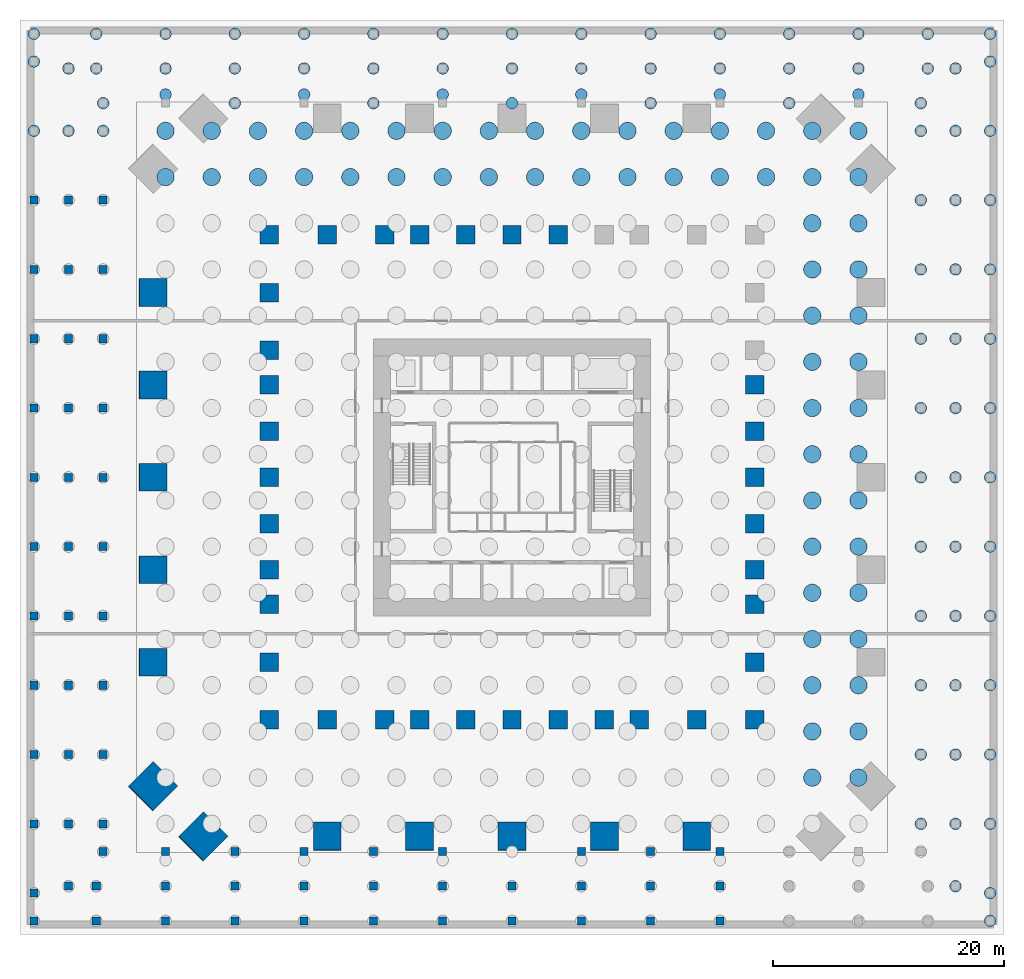
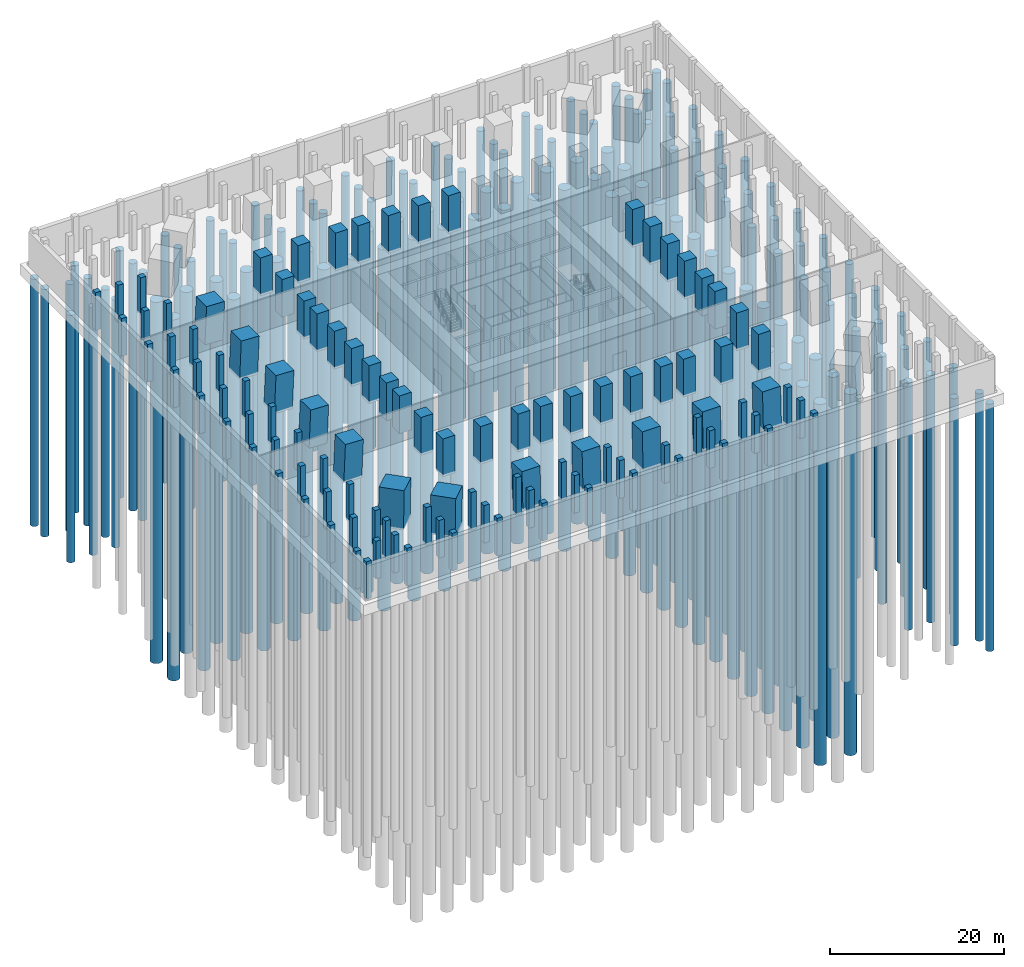
# One storey, part 2 of 8: 142 piles, 108 columns.
"""IFC4 building model written with IfcOpenShell, lengths in metres."""

from ifc_helpers import new_model, si_unit, direction, frame, origin, origin_2d, place, context, subcontext, project, spatial, rectangle, circle, extrude, material, material_profile, profile_set, type_object, element, save


model = new_model("IFC4")

# Units and contexts
model_context = context("Model", 3, precision=1e-05, world=origin(), true_north=direction((0.0, 1.0)))
body_context = subcontext(model_context, "Body", "Model", "MODEL_VIEW")
ifc_project = project(units=[si_unit("LENGTHUNIT", "METRE"), si_unit("AREAUNIT", "SQUARE_METRE"), si_unit("VOLUMEUNIT", "CUBIC_METRE"), si_unit("PLANEANGLEUNIT", "RADIAN"), si_unit("MASSUNIT", "GRAM", prefix="KILO")], contexts=[model_context])

# Site, building, storey
site_placement = place(None, origin())
site = spatial("IfcSite", under=ifc_project, at=site_placement, CompositionType="ELEMENT")
building_placement = place(site_placement, origin())
building = spatial("IfcBuilding", under=site, at=building_placement, Name="Peilmerk Tower", CompositionType="ELEMENT")
storey_placement = place(building_placement, frame((0.0, 0.0, -5.0)))
storey = spatial("IfcBuildingStorey", under=building, at=storey_placement, Name="B-01", CompositionType="ELEMENT", Elevation=-5.0)

# Piles
ifc_material_1 = material(Name="Concrete C30/37", Category="concrete")
ifc_material_profile_1 = material_profile(ifc_material_1, circle(Radius=0.75, at=origin_2d()), Name="BP 1500")
ifc_profile_set_1 = profile_set([ifc_material_profile_1], Name="Concrete C30/37")
pile_type_1 = type_object("IfcPileType", Name="BP1 1500 bored pile", PredefinedType="BORED", material=ifc_profile_set_1)
for number, where, z_axis, x_axis, name in (
    (1, (26.0, -26.0, -3.800048828125), (0.0, 0.0, -1.0), (1.0, 0.0, 0.0), "Bored pile BP1 T02-15"),
    (2, (30.0, -26.0, -3.800048828125), (0.0, 0.0, -1.0), (1.0, 0.0, 0.0), "Bored pile BP1 T02-16"),
    (3, (26.0, -22.0, -3.800048828125), (0.0, 0.0, -1.0), (1.0, 0.0, 0.0), "Bored pile BP1 T03-15"),
    (4, (30.0, -22.0, -3.800048828125), (0.0, 0.0, -1.0), (1.0, 0.0, 0.0), "Bored pile BP1 T03-16"),
    (5, (26.0, -18.0, -3.800048828125), (0.0, 0.0, -1.0), (1.0, 0.0, 0.0), "Bored pile BP1 T04-15"),
    (6, (30.0, -18.0, -3.800048828125), (0.0, 0.0, -1.0), (1.0, 0.0, 0.0), "Bored pile BP1 T04-16"),
    (7, (26.0, -14.0, -3.800048828125), (0.0, 0.0, -1.0), (1.0, 0.0, 0.0), "Bored pile BP1 T05-15"),
    (8, (30.0, -14.0, -3.800048828125), (0.0, 0.0, -1.0), (1.0, 0.0, 0.0), "Bored pile BP1 T05-16"),
    (9, (26.0, -10.0, -3.800048828125), (0.0, 0.0, -1.0), (1.0, 0.0, 0.0), "Bored pile BP1 T06-15"),
    (10, (30.0, -10.0, -3.800048828125), (0.0, 0.0, -1.0), (1.0, 0.0, 0.0), "Bored pile BP1 T06-16"),
    (11, (26.0, -6.0, -3.800048828125), (0.0, 0.0, -1.0), (1.0, 0.0, 0.0), "Bored pile BP1 T07-15"),
    (12, (30.0, -6.0, -3.800048828125), (0.0, 0.0, -1.0), (1.0, 0.0, 0.0), "Bored pile BP1 T07-16"),
    (13, (26.0, -2.0, -3.800048828125), (0.0, 0.0, -1.0), (1.0, 0.0, 0.0), "Bored pile BP1 T08-15"),
    (14, (30.0, -2.0, -3.800048828125), (0.0, 0.0, -1.0), (1.0, 0.0, 0.0), "Bored pile BP1 T08-16"),
    (15, (26.0, 2.0, -3.800048828125), (0.0, 0.0, -1.0), (1.0, 0.0, 0.0), "Bored pile BP1 T09-15"),
    (16, (30.0, 2.0, -3.800048828125), (0.0, 0.0, -1.0), (1.0, 0.0, 0.0), "Bored pile BP1 T09-16"),
    (17, (26.0, 6.0, -3.800048828125), (0.0, 0.0, -1.0), (1.0, 0.0, 0.0), "Bored pile BP1 T10-15"),
    (18, (30.0, 6.0, -3.800048828125), (0.0, 0.0, -1.0), (1.0, 0.0, 0.0), "Bored pile BP1 T10-16"),
    (19, (26.0, 10.0, -3.800048828125), (0.0, 0.0, -1.0), (1.0, 0.0, 0.0), "Bored pile BP1 T11-15"),
    (20, (30.0, 10.0, -3.800048828125), (0.0, 0.0, -1.0), (1.0, 0.0, 0.0), "Bored pile BP1 T11-16"),
    (21, (26.0, 14.0, -3.800048828125), (0.0, 0.0, -1.0), (1.0, 0.0, 0.0), "Bored pile BP1 T12-15"),
    (22, (30.0, 14.0, -3.800048828125), (0.0, 0.0, -1.0), (1.0, 0.0, 0.0), "Bored pile BP1 T12-16"),
    (23, (26.0, 18.0, -3.800048828125), (0.0, 0.0, -1.0), (1.0, 0.0, 0.0), "Bored pile BP1 T13-15"),
    (24, (30.0, 18.0, -3.800048828125), (0.0, 0.0, -1.0), (1.0, 0.0, 0.0), "Bored pile BP1 T13-16"),
    (25, (26.0, 22.0, -3.800048828125), (0.0, 0.0, -1.0), (1.0, 0.0, 0.0), "Bored pile BP1 T14-15"),
    (26, (30.0, 22.0, -3.800048828125), (0.0, 0.0, -1.0), (1.0, 0.0, 0.0), "Bored pile BP1 T14-16"),
    (27, (-30.0, 26.0, -3.800048828125), (0.0, 0.0, -1.0), (1.0, 0.0, 0.0), "Bored pile BP1 T15-01"),
    (28, (-26.0, 26.0, -3.800048828125), (0.0, 0.0, -1.0), (1.0, 0.0, 0.0), "Bored pile BP1 T15-02"),
    (29, (-22.0, 26.0, -3.800048828125), (0.0, 0.0, -1.0), (1.0, 0.0, 0.0), "Bored pile BP1 T15-03"),
    (30, (-18.0, 26.0, -3.800048828125), (0.0, 0.0, -1.0), (1.0, 0.0, 0.0), "Bored pile BP1 T15-04"),
    (31, (-14.0, 26.0, -3.800048828125), (0.0, 0.0, -1.0), (1.0, 0.0, 0.0), "Bored pile BP1 T15-05"),
    (32, (-10.0, 26.0, -3.800048828125), (0.0, 0.0, -1.0), (1.0, 0.0, 0.0), "Bored pile BP1 T15-06"),
    (33, (-6.0, 26.0, -3.800048828125), (0.0, 0.0, -1.0), (1.0, 0.0, 0.0), "Bored pile BP1 T15-07"),
    (34, (-2.0, 26.0, -3.800048828125), (0.0, 0.0, -1.0), (1.0, 0.0, 0.0), "Bored pile BP1 T15-08"),
    (35, (2.0, 26.0, -3.800048828125), (0.0, 0.0, -1.0), (1.0, 0.0, 0.0), "Bored pile BP1 T15-09"),
    (36, (6.0, 26.0, -3.800048828125), (0.0, 0.0, -1.0), (1.0, 0.0, 0.0), "Bored pile BP1 T15-10"),
    (37, (10.0, 26.0, -3.800048828125), (0.0, 0.0, -1.0), (1.0, 0.0, 0.0), "Bored pile BP1 T15-11"),
    (38, (14.0, 26.0, -3.800048828125), (0.0, 0.0, -1.0), (1.0, 0.0, 0.0), "Bored pile BP1 T15-12"),
    (39, (18.0, 26.0, -3.800048828125), (0.0, 0.0, -1.0), (1.0, 0.0, 0.0), "Bored pile BP1 T15-13"),
    (40, (22.0, 26.0, -3.800048828125), (0.0, 0.0, -1.0), (1.0, 0.0, 0.0), "Bored pile BP1 T15-14"),
    (41, (26.0, 26.0, -3.800048828125), (0.0, 0.0, -1.0), (1.0, 0.0, 0.0), "Bored pile BP1 T15-15"),
    (42, (30.0, 26.0, -3.800048828125), (0.0, 0.0, -1.0), (1.0, 0.0, 0.0), "Bored pile BP1 T15-16"),
    (43, (-30.0, 30.0, -3.800048828125), (0.0, 0.0, -1.0), (1.0, 0.0, 0.0), "Bored pile BP1 T16-01"),
    (44, (-26.0, 30.0, -3.800048828125), (0.0, 0.0, -1.0), (1.0, 0.0, 0.0), "Bored pile BP1 T16-02"),
    (45, (-22.0, 30.0, -3.800048828125), (0.0, 0.0, -1.0), (1.0, 0.0, 0.0), "Bored pile BP1 T16-03"),
    (46, (-18.0, 30.0, -3.800048828125), (0.0, 0.0, -1.0), (1.0, 0.0, 0.0), "Bored pile BP1 T16-04"),
    (47, (-14.0, 30.0, -3.800048828125), (0.0, 0.0, -1.0), (1.0, 0.0, 0.0), "Bored pile BP1 T16-05"),
    (48, (-10.0, 30.0, -3.800048828125), (0.0, 0.0, -1.0), (1.0, 0.0, 0.0), "Bored pile BP1 T16-06"),
    (49, (-6.0, 30.0, -3.800048828125), (0.0, 0.0, -1.0), (1.0, 0.0, 0.0), "Bored pile BP1 T16-07"),
    (50, (-2.0, 30.0, -3.800048828125), (0.0, 0.0, -1.0), (1.0, 0.0, 0.0), "Bored pile BP1 T16-08"),
    (51, (2.0, 30.0, -3.800048828125), (0.0, 0.0, -1.0), (1.0, 0.0, 0.0), "Bored pile BP1 T16-09"),
    (52, (6.0, 30.0, -3.800048828125), (0.0, 0.0, -1.0), (1.0, 0.0, 0.0), "Bored pile BP1 T16-10"),
    (53, (10.0, 30.0, -3.800048828125), (0.0, 0.0, -1.0), (1.0, 0.0, 0.0), "Bored pile BP1 T16-11"),
    (54, (14.0, 30.0, -3.800048828125), (0.0, 0.0, -1.0), (1.0, 0.0, 0.0), "Bored pile BP1 T16-12"),
    (55, (18.0, 30.0, -3.800048828125), (0.0, 0.0, -1.0), (1.0, 0.0, 0.0), "Bored pile BP1 T16-13"),
    (56, (22.0, 30.0, -3.800048828125), (0.0, 0.0, -1.0), (1.0, 0.0, 0.0), "Bored pile BP1 T16-14"),
    (57, (26.0, 30.0, -3.800048828125), (0.0, 0.0, -1.0), (1.0, 0.0, 0.0), "Bored pile BP1 T16-15"),
    (58, (30.0, 30.0, -3.800048828125), (0.0, 0.0, -1.0), (1.0, 0.0, 0.0), "Bored pile BP1 T16-16"),
):
    element("IfcPile", number, at=place(storey_placement, frame(where, z_axis=z_axis, x_axis=x_axis)), inside=storey, type_object=pile_type_1, Name=name, PredefinedType="BORED", context=body_context, shape_type="SweptSolid", body=[
        extrude(circle(Radius=0.75, at=origin_2d()), origin(), (0.0, 0.0, 1.0), 50.800048828125),
    ])
ifc_material_profile_2 = material_profile(ifc_material_1, circle(Radius=0.5, at=origin_2d()), Name="BP 1000")
ifc_profile_set_2 = profile_set([ifc_material_profile_2], Name="Concrete C30/37")
pile_type_2 = type_object("IfcPileType", Name="BP2 1000 bored pile", PredefinedType="BORED", material=ifc_profile_set_2)
for number, where, z_axis, x_axis, name in (
    (59, (-35.39990234375, 30.0, -1.800048828125), (0.0, 0.0, -1.0), (1.0, 0.0, 0.0), "Bored pile BP2 ring A"),
    (60, (-35.39990234375, 32.39990234375, -1.800048828125), (0.0, 0.0, -1.0), (1.0, 0.0, 0.0), "Bored pile BP2 ring A"),
    (61, (-30.0, 33.14990234375, -1.800048828125), (0.0, 0.0, -1.0), (1.0, 0.0, 0.0), "Bored pile BP2 ring A"),
    (62, (-24.0, 32.39990234375, -1.800048828125), (0.0, 0.0, -1.0), (1.0, 0.0, 0.0), "Bored pile BP2 ring A"),
    (63, (-18.0, 33.14990234375, -1.800048828125), (0.0, 0.0, -1.0), (1.0, 0.0, 0.0), "Bored pile BP2 ring A"),
    (64, (-12.0, 32.39990234375, -1.800048828125), (0.0, 0.0, -1.0), (1.0, 0.0, 0.0), "Bored pile BP2 ring A"),
    (65, (-6.0, 33.14990234375, -1.800048828125), (0.0, 0.0, -1.0), (1.0, 0.0, 0.0), "Bored pile BP2 ring A"),
    (66, (0.0, 32.39990234375, -1.800048828125), (0.0, 0.0, -1.0), (1.0, 0.0, 0.0), "Bored pile BP2 ring A"),
    (67, (6.0, 33.14990234375, -1.800048828125), (0.0, 0.0, -1.0), (1.0, 0.0, 0.0), "Bored pile BP2 ring A"),
    (68, (12.0, 32.39990234375, -1.800048828125), (0.0, 0.0, -1.0), (1.0, 0.0, 0.0), "Bored pile BP2 ring A"),
    (69, (18.0, 33.14990234375, -1.800048828125), (0.0, 0.0, -1.0), (1.0, 0.0, 0.0), "Bored pile BP2 ring A"),
    (70, (24.0, 32.39990234375, -1.800048828125), (0.0, 0.0, -1.0), (1.0, 0.0, 0.0), "Bored pile BP2 ring A"),
    (71, (30.0, 33.14990234375, -1.800048828125), (0.0, 0.0, -1.0), (1.0, 0.0, 0.0), "Bored pile BP2 ring A"),
    (72, (35.39990234375, -30.0, -1.800048828125), (0.0, 0.0, -1.0), (1.0, 0.0, 0.0), "Bored pile BP2 ring A"),
    (73, (35.39990234375, -24.0, -1.800048828125), (0.0, 0.0, -1.0), (1.0, 0.0, 0.0), "Bored pile BP2 ring A"),
    (74, (35.39990234375, -18.0, -1.800048828125), (0.0, 0.0, -1.0), (1.0, 0.0, 0.0), "Bored pile BP2 ring A"),
    (75, (35.39990234375, -12.0, -1.800048828125), (0.0, 0.0, -1.0), (1.0, 0.0, 0.0), "Bored pile BP2 ring A"),
    (76, (35.39990234375, -6.0, -1.800048828125), (0.0, 0.0, -1.0), (1.0, 0.0, 0.0), "Bored pile BP2 ring A"),
    (77, (35.39990234375, 0.0, -1.800048828125), (0.0, 0.0, -1.0), (1.0, 0.0, 0.0), "Bored pile BP2 ring A"),
    (78, (35.39990234375, 6.0, -1.800048828125), (0.0, 0.0, -1.0), (1.0, 0.0, 0.0), "Bored pile BP2 ring A"),
    (79, (35.39990234375, 12.0, -1.800048828125), (0.0, 0.0, -1.0), (1.0, 0.0, 0.0), "Bored pile BP2 ring A"),
    (80, (35.39990234375, 18.0, -1.800048828125), (0.0, 0.0, -1.0), (1.0, 0.0, 0.0), "Bored pile BP2 ring A"),
    (81, (35.39990234375, 24.0, -1.800048828125), (0.0, 0.0, -1.0), (1.0, 0.0, 0.0), "Bored pile BP2 ring A"),
    (82, (35.39990234375, 30.0, -1.800048828125), (0.0, 0.0, -1.0), (1.0, 0.0, 0.0), "Bored pile BP2 ring A"),
    (83, (35.39990234375, 32.39990234375, -1.800048828125), (0.0, 0.0, -1.0), (1.0, 0.0, 0.0), "Bored pile BP2 ring A"),
    (84, (-38.39990234375, 30.0, -1.800048828125), (0.0, 0.0, -1.0), (1.0, 0.0, 0.0), "Bored pile BP2 ring B"),
    (85, (-38.39990234375, 35.39990234375, -1.800048828125), (0.0, 0.0, -1.0), (1.0, 0.0, 0.0), "Bored pile BP2 ring B"),
    (86, (-36.0, 35.39990234375, -1.800048828125), (0.0, 0.0, -1.0), (1.0, 0.0, 0.0), "Bored pile BP2 ring B"),
    (87, (-30.0, 35.39990234375, -1.800048828125), (0.0, 0.0, -1.0), (1.0, 0.0, 0.0), "Bored pile BP2 ring B"),
    (88, (-24.0, 35.39990234375, -1.800048828125), (0.0, 0.0, -1.0), (1.0, 0.0, 0.0), "Bored pile BP2 ring B"),
    (89, (-18.0, 35.39990234375, -1.800048828125), (0.0, 0.0, -1.0), (1.0, 0.0, 0.0), "Bored pile BP2 ring B"),
    (90, (-12.0, 35.39990234375, -1.800048828125), (0.0, 0.0, -1.0), (1.0, 0.0, 0.0), "Bored pile BP2 ring B"),
    (91, (-6.0, 35.39990234375, -1.800048828125), (0.0, 0.0, -1.0), (1.0, 0.0, 0.0), "Bored pile BP2 ring B"),
    (92, (0.0, 35.39990234375, -1.800048828125), (0.0, 0.0, -1.0), (1.0, 0.0, 0.0), "Bored pile BP2 ring B"),
    (93, (6.0, 35.39990234375, -1.800048828125), (0.0, 0.0, -1.0), (1.0, 0.0, 0.0), "Bored pile BP2 ring B"),
    (94, (12.0, 35.39990234375, -1.800048828125), (0.0, 0.0, -1.0), (1.0, 0.0, 0.0), "Bored pile BP2 ring B"),
    (95, (18.0, 35.39990234375, -1.800048828125), (0.0, 0.0, -1.0), (1.0, 0.0, 0.0), "Bored pile BP2 ring B"),
    (96, (24.0, 35.39990234375, -1.800048828125), (0.0, 0.0, -1.0), (1.0, 0.0, 0.0), "Bored pile BP2 ring B"),
    (97, (30.0, 35.39990234375, -1.800048828125), (0.0, 0.0, -1.0), (1.0, 0.0, 0.0), "Bored pile BP2 ring B"),
    (98, (36.0, 35.39990234375, -1.800048828125), (0.0, 0.0, -1.0), (1.0, 0.0, 0.0), "Bored pile BP2 ring B"),
    (99, (38.39990234375, -35.39990234375, -1.800048828125), (0.0, 0.0, -1.0), (1.0, 0.0, 0.0), "Bored pile BP2 ring B"),
    (100, (38.39990234375, -30.0, -1.800048828125), (0.0, 0.0, -1.0), (1.0, 0.0, 0.0), "Bored pile BP2 ring B"),
    (101, (38.39990234375, -24.0, -1.800048828125), (0.0, 0.0, -1.0), (1.0, 0.0, 0.0), "Bored pile BP2 ring B"),
    (102, (38.39990234375, -18.0, -1.800048828125), (0.0, 0.0, -1.0), (1.0, 0.0, 0.0), "Bored pile BP2 ring B"),
    (103, (38.39990234375, -12.0, -1.800048828125), (0.0, 0.0, -1.0), (1.0, 0.0, 0.0), "Bored pile BP2 ring B"),
    (104, (38.39990234375, -6.0, -1.800048828125), (0.0, 0.0, -1.0), (1.0, 0.0, 0.0), "Bored pile BP2 ring B"),
    (105, (38.39990234375, 0.0, -1.800048828125), (0.0, 0.0, -1.0), (1.0, 0.0, 0.0), "Bored pile BP2 ring B"),
    (106, (38.39990234375, 6.0, -1.800048828125), (0.0, 0.0, -1.0), (1.0, 0.0, 0.0), "Bored pile BP2 ring B"),
    (107, (38.39990234375, 12.0, -1.800048828125), (0.0, 0.0, -1.0), (1.0, 0.0, 0.0), "Bored pile BP2 ring B"),
    (108, (38.39990234375, 18.0, -1.800048828125), (0.0, 0.0, -1.0), (1.0, 0.0, 0.0), "Bored pile BP2 ring B"),
    (109, (38.39990234375, 24.0, -1.800048828125), (0.0, 0.0, -1.0), (1.0, 0.0, 0.0), "Bored pile BP2 ring B"),
    (110, (38.39990234375, 30.0, -1.800048828125), (0.0, 0.0, -1.0), (1.0, 0.0, 0.0), "Bored pile BP2 ring B"),
    (111, (38.39990234375, 35.39990234375, -1.800048828125), (0.0, 0.0, -1.0), (1.0, 0.0, 0.0), "Bored pile BP2 ring B"),
    (112, (-41.39990234375, 30.0, -1.800048828125), (0.0, 0.0, -1.0), (1.0, 0.0, 0.0), "Bored pile BP2 ring C"),
    (113, (-41.39990234375, 36.0, -1.800048828125), (0.0, 0.0, -1.0), (1.0, 0.0, 0.0), "Bored pile BP2 ring C"),
    (114, (-41.39990234375, 38.39990234375, -1.800048828125), (0.0, 0.0, -1.0), (1.0, 0.0, 0.0), "Bored pile BP2 ring C"),
    (115, (-36.0, 38.39990234375, -1.800048828125), (0.0, 0.0, -1.0), (1.0, 0.0, 0.0), "Bored pile BP2 ring C"),
    (116, (-30.0, 38.39990234375, -1.800048828125), (0.0, 0.0, -1.0), (1.0, 0.0, 0.0), "Bored pile BP2 ring C"),
    (117, (-24.0, 38.39990234375, -1.800048828125), (0.0, 0.0, -1.0), (1.0, 0.0, 0.0), "Bored pile BP2 ring C"),
    (118, (-18.0, 38.39990234375, -1.800048828125), (0.0, 0.0, -1.0), (1.0, 0.0, 0.0), "Bored pile BP2 ring C"),
    (119, (-12.0, 38.39990234375, -1.800048828125), (0.0, 0.0, -1.0), (1.0, 0.0, 0.0), "Bored pile BP2 ring C"),
    (120, (-6.0, 38.39990234375, -1.800048828125), (0.0, 0.0, -1.0), (1.0, 0.0, 0.0), "Bored pile BP2 ring C"),
    (121, (0.0, 38.39990234375, -1.800048828125), (0.0, 0.0, -1.0), (1.0, 0.0, 0.0), "Bored pile BP2 ring C"),
    (122, (6.0, 38.39990234375, -1.800048828125), (0.0, 0.0, -1.0), (1.0, 0.0, 0.0), "Bored pile BP2 ring C"),
    (123, (12.0, 38.39990234375, -1.800048828125), (0.0, 0.0, -1.0), (1.0, 0.0, 0.0), "Bored pile BP2 ring C"),
    (124, (18.0, 38.39990234375, -1.800048828125), (0.0, 0.0, -1.0), (1.0, 0.0, 0.0), "Bored pile BP2 ring C"),
    (125, (24.0, 38.39990234375, -1.800048828125), (0.0, 0.0, -1.0), (1.0, 0.0, 0.0), "Bored pile BP2 ring C"),
    (126, (30.0, 38.39990234375, -1.800048828125), (0.0, 0.0, -1.0), (1.0, 0.0, 0.0), "Bored pile BP2 ring C"),
    (127, (36.0, 38.39990234375, -1.800048828125), (0.0, 0.0, -1.0), (1.0, 0.0, 0.0), "Bored pile BP2 ring C"),
    (128, (41.39990234375, -38.39990234375, -1.800048828125), (0.0, 0.0, -1.0), (1.0, 0.0, 0.0), "Bored pile BP2 ring C"),
    (129, (41.39990234375, -36.0, -1.800048828125), (0.0, 0.0, -1.0), (1.0, 0.0, 0.0), "Bored pile BP2 ring C"),
    (130, (41.39990234375, -30.0, -1.800048828125), (0.0, 0.0, -1.0), (1.0, 0.0, 0.0), "Bored pile BP2 ring C"),
    (131, (41.39990234375, -24.0, -1.800048828125), (0.0, 0.0, -1.0), (1.0, 0.0, 0.0), "Bored pile BP2 ring C"),
    (132, (41.39990234375, -18.0, -1.800048828125), (0.0, 0.0, -1.0), (1.0, 0.0, 0.0), "Bored pile BP2 ring C"),
    (133, (41.39990234375, -12.0, -1.800048828125), (0.0, 0.0, -1.0), (1.0, 0.0, 0.0), "Bored pile BP2 ring C"),
    (134, (41.39990234375, -6.0, -1.800048828125), (0.0, 0.0, -1.0), (1.0, 0.0, 0.0), "Bored pile BP2 ring C"),
    (135, (41.39990234375, 0.0, -1.800048828125), (0.0, 0.0, -1.0), (1.0, 0.0, 0.0), "Bored pile BP2 ring C"),
    (136, (41.39990234375, 6.0, -1.800048828125), (0.0, 0.0, -1.0), (1.0, 0.0, 0.0), "Bored pile BP2 ring C"),
    (137, (41.39990234375, 12.0, -1.800048828125), (0.0, 0.0, -1.0), (1.0, 0.0, 0.0), "Bored pile BP2 ring C"),
    (138, (41.39990234375, 18.0, -1.800048828125), (0.0, 0.0, -1.0), (1.0, 0.0, 0.0), "Bored pile BP2 ring C"),
    (139, (41.39990234375, 24.0, -1.800048828125), (0.0, 0.0, -1.0), (1.0, 0.0, 0.0), "Bored pile BP2 ring C"),
    (140, (41.39990234375, 30.0, -1.800048828125), (0.0, 0.0, -1.0), (1.0, 0.0, 0.0), "Bored pile BP2 ring C"),
    (141, (41.39990234375, 36.0, -1.800048828125), (0.0, 0.0, -1.0), (1.0, 0.0, 0.0), "Bored pile BP2 ring C"),
    (142, (41.39990234375, 38.39990234375, -1.800048828125), (0.0, 0.0, -1.0), (1.0, 0.0, 0.0), "Bored pile BP2 ring C"),
):
    element("IfcPile", number, at=place(storey_placement, frame(where, z_axis=z_axis, x_axis=x_axis)), inside=storey, type_object=pile_type_2, Name=name, PredefinedType="BORED", context=body_context, shape_type="SweptSolid", body=[
        extrude(circle(Radius=0.5, at=origin_2d()), origin(), (0.0, 0.0, 1.0), 34.800048828125),
    ])

# Columns
ifc_material_2 = material(Name="Concrete C90/105", Category="concrete")
ifc_material_profile_3 = material_profile(ifc_material_2, rectangle(XDim=3.0, YDim=3.0, at=origin_2d()), Name="RC 3000x3000")
ifc_profile_set_3 = profile_set([ifc_material_profile_3], Name="Concrete C90/105")
column_type_1 = type_object("IfcColumnType", Name="MC1 3000x3000 encased mega column", PredefinedType="COLUMN", material=ifc_profile_set_3)
for number, where, z_axis, x_axis, name in (
    (143, (-26.760498046875, -31.110595703125, -0.300048828125), (0.040240469145, 0.040286458253, 0.998377536769), (-0.707510496064, 0.706702835681, 0.0), "Mega column MC1 SW_S B-01"),
    (144, (-31.110595703125, -26.760498046875, -0.300048828125), (0.040286458253, 0.040240469145, 0.998377536769), (-0.706702835681, 0.707510496064, 0.0), "Mega column MC1 SW_W B-01"),
):
    element("IfcColumn", number, at=place(storey_placement, frame(where, z_axis=z_axis, x_axis=x_axis)), inside=storey, type_object=column_type_1, Name=name, PredefinedType="COLUMN", context=body_context, shape_type="SweptSolid", body=[
        extrude(rectangle(XDim=3.0, YDim=3.0, at=origin_2d()), origin(), (0.0, 0.0, 1.0), 5.30859375),
    ])
ifc_material_3 = material(Name="Concrete C55/67", Category="concrete")
ifc_material_profile_4 = material_profile(ifc_material_3, rectangle(XDim=0.699951171875, YDim=0.699951171875, at=origin_2d()), Name="RC 700x700")
ifc_profile_set_4 = profile_set([ifc_material_profile_4], Name="Concrete C55/67")
column_type_2 = type_object("IfcColumnType", Name="PC1 700x700 podium column", PredefinedType="COLUMN", material=ifc_profile_set_4)
for number, where, z_axis, x_axis, name in (
    (145, (-35.39990234375, -32.39990234375, -0.300048828125), (0.0, 0.0, 1.0), (1.0, 0.0, 0.0), "Podium column ring A B-01"),
    (146, (-35.39990234375, -30.0, -0.300048828125), (0.0, 0.0, 1.0), (1.0, 0.0, 0.0), "Podium column ring A B-01"),
    (147, (-35.39990234375, -24.0, -0.300048828125), (0.0, 0.0, 1.0), (1.0, 0.0, 0.0), "Podium column ring A B-01"),
    (148, (-35.39990234375, -18.0, -0.300048828125), (0.0, 0.0, 1.0), (1.0, 0.0, 0.0), "Podium column ring A B-01"),
    (149, (-35.39990234375, -12.0, -0.300048828125), (0.0, 0.0, 1.0), (1.0, 0.0, 0.0), "Podium column ring A B-01"),
    (150, (-35.39990234375, -6.0, -0.300048828125), (0.0, 0.0, 1.0), (1.0, 0.0, 0.0), "Podium column ring A B-01"),
    (151, (-35.39990234375, 0.0, -0.300048828125), (0.0, 0.0, 1.0), (1.0, 0.0, 0.0), "Podium column ring A B-01"),
    (152, (-35.39990234375, 6.0, -0.300048828125), (0.0, 0.0, 1.0), (1.0, 0.0, 0.0), "Podium column ring A B-01"),
    (153, (-35.39990234375, 12.0, -0.300048828125), (0.0, 0.0, 1.0), (1.0, 0.0, 0.0), "Podium column ring A B-01"),
    (154, (-35.39990234375, 18.0, -0.300048828125), (0.0, 0.0, 1.0), (1.0, 0.0, 0.0), "Podium column ring A B-01"),
    (155, (-35.39990234375, 24.0, -0.300048828125), (0.0, 0.0, 1.0), (1.0, 0.0, 0.0), "Podium column ring A B-01"),
    (156, (-30.0, -32.39990234375, -0.300048828125), (0.0, 0.0, 1.0), (1.0, 0.0, 0.0), "Podium column ring A B-01"),
    (157, (-24.0, -32.39990234375, -0.300048828125), (0.0, 0.0, 1.0), (1.0, 0.0, 0.0), "Podium column ring A B-01"),
    (158, (-18.0, -32.39990234375, -0.300048828125), (0.0, 0.0, 1.0), (1.0, 0.0, 0.0), "Podium column ring A B-01"),
    (159, (-12.0, -32.39990234375, -0.300048828125), (0.0, 0.0, 1.0), (1.0, 0.0, 0.0), "Podium column ring A B-01"),
    (160, (-6.0, -32.39990234375, -0.300048828125), (0.0, 0.0, 1.0), (1.0, 0.0, 0.0), "Podium column ring A B-01"),
    (161, (6.0, -32.39990234375, -0.300048828125), (0.0, 0.0, 1.0), (1.0, 0.0, 0.0), "Podium column ring A B-01"),
    (162, (12.0, -32.39990234375, -0.300048828125), (0.0, 0.0, 1.0), (1.0, 0.0, 0.0), "Podium column ring A B-01"),
    (163, (18.0, -32.39990234375, -0.300048828125), (0.0, 0.0, 1.0), (1.0, 0.0, 0.0), "Podium column ring A B-01"),
    (164, (-38.39990234375, -35.39990234375, -0.300048828125), (0.0, 0.0, 1.0), (1.0, 0.0, 0.0), "Podium column ring B B-01"),
    (165, (-38.39990234375, -30.0, -0.300048828125), (0.0, 0.0, 1.0), (1.0, 0.0, 0.0), "Podium column ring B B-01"),
    (166, (-38.39990234375, -24.0, -0.300048828125), (0.0, 0.0, 1.0), (1.0, 0.0, 0.0), "Podium column ring B B-01"),
    (167, (-38.39990234375, -18.0, -0.300048828125), (0.0, 0.0, 1.0), (1.0, 0.0, 0.0), "Podium column ring B B-01"),
    (168, (-38.39990234375, -12.0, -0.300048828125), (0.0, 0.0, 1.0), (1.0, 0.0, 0.0), "Podium column ring B B-01"),
    (169, (-38.39990234375, -6.0, -0.300048828125), (0.0, 0.0, 1.0), (1.0, 0.0, 0.0), "Podium column ring B B-01"),
    (170, (-38.39990234375, 0.0, -0.300048828125), (0.0, 0.0, 1.0), (1.0, 0.0, 0.0), "Podium column ring B B-01"),
    (171, (-38.39990234375, 6.0, -0.300048828125), (0.0, 0.0, 1.0), (1.0, 0.0, 0.0), "Podium column ring B B-01"),
    (172, (-38.39990234375, 12.0, -0.300048828125), (0.0, 0.0, 1.0), (1.0, 0.0, 0.0), "Podium column ring B B-01"),
    (173, (-38.39990234375, 18.0, -0.300048828125), (0.0, 0.0, 1.0), (1.0, 0.0, 0.0), "Podium column ring B B-01"),
    (174, (-38.39990234375, 24.0, -0.300048828125), (0.0, 0.0, 1.0), (1.0, 0.0, 0.0), "Podium column ring B B-01"),
    (175, (-36.0, -35.39990234375, -0.300048828125), (0.0, 0.0, 1.0), (1.0, 0.0, 0.0), "Podium column ring B B-01"),
    (176, (-30.0, -35.39990234375, -0.300048828125), (0.0, 0.0, 1.0), (1.0, 0.0, 0.0), "Podium column ring B B-01"),
    (177, (-24.0, -35.39990234375, -0.300048828125), (0.0, 0.0, 1.0), (1.0, 0.0, 0.0), "Podium column ring B B-01"),
    (178, (-18.0, -35.39990234375, -0.300048828125), (0.0, 0.0, 1.0), (1.0, 0.0, 0.0), "Podium column ring B B-01"),
    (179, (-12.0, -35.39990234375, -0.300048828125), (0.0, 0.0, 1.0), (1.0, 0.0, 0.0), "Podium column ring B B-01"),
    (180, (-6.0, -35.39990234375, -0.300048828125), (0.0, 0.0, 1.0), (1.0, 0.0, 0.0), "Podium column ring B B-01"),
    (181, (0.0, -35.39990234375, -0.300048828125), (0.0, 0.0, 1.0), (1.0, 0.0, 0.0), "Podium column ring B B-01"),
    (182, (6.0, -35.39990234375, -0.300048828125), (0.0, 0.0, 1.0), (1.0, 0.0, 0.0), "Podium column ring B B-01"),
    (183, (12.0, -35.39990234375, -0.300048828125), (0.0, 0.0, 1.0), (1.0, 0.0, 0.0), "Podium column ring B B-01"),
    (184, (18.0, -35.39990234375, -0.300048828125), (0.0, 0.0, 1.0), (1.0, 0.0, 0.0), "Podium column ring B B-01"),
    (185, (-41.39990234375, -38.39990234375, -0.300048828125), (0.0, 0.0, 1.0), (1.0, 0.0, 0.0), "Podium column ring C B-01"),
    (186, (-41.39990234375, -36.0, -0.300048828125), (0.0, 0.0, 1.0), (1.0, 0.0, 0.0), "Podium column ring C B-01"),
    (187, (-41.39990234375, -30.0, -0.300048828125), (0.0, 0.0, 1.0), (1.0, 0.0, 0.0), "Podium column ring C B-01"),
    (188, (-41.39990234375, -24.0, -0.300048828125), (0.0, 0.0, 1.0), (1.0, 0.0, 0.0), "Podium column ring C B-01"),
    (189, (-41.39990234375, -18.0, -0.300048828125), (0.0, 0.0, 1.0), (1.0, 0.0, 0.0), "Podium column ring C B-01"),
    (190, (-41.39990234375, -12.0, -0.300048828125), (0.0, 0.0, 1.0), (1.0, 0.0, 0.0), "Podium column ring C B-01"),
    (191, (-41.39990234375, -6.0, -0.300048828125), (0.0, 0.0, 1.0), (1.0, 0.0, 0.0), "Podium column ring C B-01"),
    (192, (-41.39990234375, 0.0, -0.300048828125), (0.0, 0.0, 1.0), (1.0, 0.0, 0.0), "Podium column ring C B-01"),
    (193, (-41.39990234375, 6.0, -0.300048828125), (0.0, 0.0, 1.0), (1.0, 0.0, 0.0), "Podium column ring C B-01"),
    (194, (-41.39990234375, 12.0, -0.300048828125), (0.0, 0.0, 1.0), (1.0, 0.0, 0.0), "Podium column ring C B-01"),
    (195, (-41.39990234375, 18.0, -0.300048828125), (0.0, 0.0, 1.0), (1.0, 0.0, 0.0), "Podium column ring C B-01"),
    (196, (-41.39990234375, 24.0, -0.300048828125), (0.0, 0.0, 1.0), (1.0, 0.0, 0.0), "Podium column ring C B-01"),
    (197, (-36.0, -38.39990234375, -0.300048828125), (0.0, 0.0, 1.0), (1.0, 0.0, 0.0), "Podium column ring C B-01"),
    (198, (-30.0, -38.39990234375, -0.300048828125), (0.0, 0.0, 1.0), (1.0, 0.0, 0.0), "Podium column ring C B-01"),
    (199, (-24.0, -38.39990234375, -0.300048828125), (0.0, 0.0, 1.0), (1.0, 0.0, 0.0), "Podium column ring C B-01"),
    (200, (-18.0, -38.39990234375, -0.300048828125), (0.0, 0.0, 1.0), (1.0, 0.0, 0.0), "Podium column ring C B-01"),
    (201, (-12.0, -38.39990234375, -0.300048828125), (0.0, 0.0, 1.0), (1.0, 0.0, 0.0), "Podium column ring C B-01"),
    (202, (-6.0, -38.39990234375, -0.300048828125), (0.0, 0.0, 1.0), (1.0, 0.0, 0.0), "Podium column ring C B-01"),
    (203, (0.0, -38.39990234375, -0.300048828125), (0.0, 0.0, 1.0), (1.0, 0.0, 0.0), "Podium column ring C B-01"),
    (204, (6.0, -38.39990234375, -0.300048828125), (0.0, 0.0, 1.0), (1.0, 0.0, 0.0), "Podium column ring C B-01"),
    (205, (12.0, -38.39990234375, -0.300048828125), (0.0, 0.0, 1.0), (1.0, 0.0, 0.0), "Podium column ring C B-01"),
    (206, (18.0, -38.39990234375, -0.300048828125), (0.0, 0.0, 1.0), (1.0, 0.0, 0.0), "Podium column ring C B-01"),
):
    element("IfcColumn", number, at=place(storey_placement, frame(where, z_axis=z_axis, x_axis=x_axis)), inside=storey, type_object=column_type_2, Name=name, PredefinedType="COLUMN", context=body_context, shape_type="SweptSolid", body=[
        extrude(rectangle(XDim=0.699951171875, YDim=0.699951171875, at=origin_2d()), origin(), (0.0, 0.0, 1.0), 5.300048828125),
    ])
ifc_material_profile_5 = material_profile(ifc_material_2, rectangle(XDim=2.39990234375, YDim=2.39990234375, at=origin_2d()), Name="RC 2400x2400")
ifc_profile_set_5 = profile_set([ifc_material_profile_5], Name="Concrete C90/105")
column_type_3 = type_object("IfcColumnType", Name="SC1 2400x2400 encased perimeter column", PredefinedType="COLUMN", material=ifc_profile_set_5)
for number, where, z_axis, x_axis, name in (
    (207, (0.0, -31.110595703125, -0.300048828125), (0.0, 0.040319115757, 0.999186853849), (-1.0, 0.0, 0.0), "Perimeter column S+0 B-01"),
    (208, (-8.0, -31.110595703125, -0.300048828125), (0.0, 0.040319115757, 0.999186853849), (-1.0, 0.0, 0.0), "Perimeter column S-8 B-01"),
    (209, (8.0, -31.110595703125, -0.300048828125), (0.0, 0.040319115757, 0.999186853849), (-1.0, 0.0, 0.0), "Perimeter column S+8 B-01"),
    (210, (-16.0, -31.110595703125, -0.300048828125), (0.0, 0.040319115757, 0.999186853849), (-1.0, 0.0, 0.0), "Perimeter column S-16 B-01"),
    (211, (16.0, -31.110595703125, -0.300048828125), (0.0, 0.040319115757, 0.999186853849), (-1.0, 0.0, 0.0), "Perimeter column S+16 B-01"),
    (212, (-31.110595703125, 0.0, -0.300048828125), (0.040319115757, 0.0, 0.999186853849), (0.0, 1.0, 0.0), "Perimeter column W+0 B-01"),
    (213, (-31.110595703125, 8.0, -0.300048828125), (0.040319115757, 0.0, 0.999186853849), (0.0, 1.0, 0.0), "Perimeter column W-8 B-01"),
    (214, (-31.110595703125, -8.0, -0.300048828125), (0.040319115757, 0.0, 0.999186853849), (0.0, 1.0, 0.0), "Perimeter column W+8 B-01"),
    (215, (-31.110595703125, 16.0, -0.300048828125), (0.040319115757, 0.0, 0.999186853849), (0.0, 1.0, 0.0), "Perimeter column W-16 B-01"),
    (216, (-31.110595703125, -16.0, -0.300048828125), (0.040319115757, 0.0, 0.999186853849), (0.0, 1.0, 0.0), "Perimeter column W+16 B-01"),
):
    element("IfcColumn", number, at=place(storey_placement, frame(where, z_axis=z_axis, x_axis=x_axis)), inside=storey, type_object=column_type_3, Name=name, PredefinedType="COLUMN", context=body_context, shape_type="SweptSolid", body=[
        extrude(rectangle(XDim=2.39990234375, YDim=2.39990234375, at=origin_2d()), origin(), (0.0, 0.0, 1.0), 5.304443359375),
    ])
ifc_material_profile_6 = material_profile(ifc_material_2, rectangle(XDim=1.60009765625, YDim=1.60009765625, at=origin_2d()), Name="RC 1600x1600")
ifc_profile_set_6 = profile_set([ifc_material_profile_6], Name="Concrete C90/105")
column_type_4 = type_object("IfcColumnType", Name="SC2 1600x1600 encased interior column", PredefinedType="COLUMN", material=ifc_profile_set_6)
for number, where, z_axis, x_axis, name in (
    (217, (0.0, 21.0, -0.300048828125), (0.0, 0.0, 1.0), (1.0, 0.0, 0.0), "Interior column N+0 B-01"),
    (218, (4.0, 21.0, -0.300048828125), (0.0, 0.0, 1.0), (1.0, 0.0, 0.0), "Interior column N-4 B-01"),
    (219, (-4.0, 21.0, -0.300048828125), (0.0, 0.0, 1.0), (1.0, 0.0, 0.0), "Interior column N+4 B-01"),
    (220, (-8.0, 21.0, -0.300048828125), (0.0, 0.0, 1.0), (1.0, 0.0, 0.0), "Interior column N+8 B-01"),
    (221, (-11.0, 21.0, -0.300048828125), (0.0, 0.0, 1.0), (1.0, 0.0, 0.0), "Interior column N+11 B-01"),
    (222, (-16.0, 21.0, -0.300048828125), (0.0, 0.0, 1.0), (1.0, 0.0, 0.0), "Interior column N+16 B-01"),
    (223, (21.0, 0.0, -0.300048828125), (0.0, 0.0, 1.0), (1.0, 0.0, 0.0), "Interior column E+0 B-01"),
    (224, (21.0, -4.0, -0.300048828125), (0.0, 0.0, 1.0), (1.0, 0.0, 0.0), "Interior column E-4 B-01"),
    (225, (21.0, 4.0, -0.300048828125), (0.0, 0.0, 1.0), (1.0, 0.0, 0.0), "Interior column E+4 B-01"),
    (226, (21.0, -8.0, -0.300048828125), (0.0, 0.0, 1.0), (1.0, 0.0, 0.0), "Interior column E-8 B-01"),
    (227, (21.0, 8.0, -0.300048828125), (0.0, 0.0, 1.0), (1.0, 0.0, 0.0), "Interior column E+8 B-01"),
    (228, (21.0, -11.0, -0.300048828125), (0.0, 0.0, 1.0), (1.0, 0.0, 0.0), "Interior column E-11 B-01"),
    (229, (21.0, -16.0, -0.300048828125), (0.0, 0.0, 1.0), (1.0, 0.0, 0.0), "Interior column E-16 B-01"),
    (230, (0.0, -21.0, -0.300048828125), (0.0, 0.0, 1.0), (1.0, 0.0, 0.0), "Interior column S+0 B-01"),
    (231, (-4.0, -21.0, -0.300048828125), (0.0, 0.0, 1.0), (1.0, 0.0, 0.0), "Interior column S-4 B-01"),
    (232, (4.0, -21.0, -0.300048828125), (0.0, 0.0, 1.0), (1.0, 0.0, 0.0), "Interior column S+4 B-01"),
    (233, (-8.0, -21.0, -0.300048828125), (0.0, 0.0, 1.0), (1.0, 0.0, 0.0), "Interior column S-8 B-01"),
    (234, (8.0, -21.0, -0.300048828125), (0.0, 0.0, 1.0), (1.0, 0.0, 0.0), "Interior column S+8 B-01"),
    (235, (-11.0, -21.0, -0.300048828125), (0.0, 0.0, 1.0), (1.0, 0.0, 0.0), "Interior column S-11 B-01"),
    (236, (11.0, -21.0, -0.300048828125), (0.0, 0.0, 1.0), (1.0, 0.0, 0.0), "Interior column S+11 B-01"),
    (237, (-16.0, -21.0, -0.300048828125), (0.0, 0.0, 1.0), (1.0, 0.0, 0.0), "Interior column S-16 B-01"),
    (238, (16.0, -21.0, -0.300048828125), (0.0, 0.0, 1.0), (1.0, 0.0, 0.0), "Interior column S+16 B-01"),
    (239, (-21.0, 0.0, -0.300048828125), (0.0, 0.0, 1.0), (1.0, 0.0, 0.0), "Interior column W+0 B-01"),
    (240, (-21.0, 4.0, -0.300048828125), (0.0, 0.0, 1.0), (1.0, 0.0, 0.0), "Interior column W-4 B-01"),
    (241, (-21.0, -4.0, -0.300048828125), (0.0, 0.0, 1.0), (1.0, 0.0, 0.0), "Interior column W+4 B-01"),
    (242, (-21.0, 8.0, -0.300048828125), (0.0, 0.0, 1.0), (1.0, 0.0, 0.0), "Interior column W-8 B-01"),
    (243, (-21.0, -8.0, -0.300048828125), (0.0, 0.0, 1.0), (1.0, 0.0, 0.0), "Interior column W+8 B-01"),
    (244, (-21.0, 11.0, -0.300048828125), (0.0, 0.0, 1.0), (1.0, 0.0, 0.0), "Interior column W-11 B-01"),
    (245, (-21.0, -11.0, -0.300048828125), (0.0, 0.0, 1.0), (1.0, 0.0, 0.0), "Interior column W+11 B-01"),
    (246, (-21.0, 16.0, -0.300048828125), (0.0, 0.0, 1.0), (1.0, 0.0, 0.0), "Interior column W-16 B-01"),
    (247, (-21.0, -16.0, -0.300048828125), (0.0, 0.0, 1.0), (1.0, 0.0, 0.0), "Interior column W+16 B-01"),
    (248, (21.0, -21.0, -0.300048828125), (0.0, 0.0, 1.0), (1.0, 0.0, 0.0), "Interior column SE B-01"),
    (249, (-21.0, -21.0, -0.300048828125), (0.0, 0.0, 1.0), (1.0, 0.0, 0.0), "Interior column SW B-01"),
    (250, (-21.0, 21.0, -0.300048828125), (0.0, 0.0, 1.0), (1.0, 0.0, 0.0), "Interior column NW B-01"),
):
    element("IfcColumn", number, at=place(storey_placement, frame(where, z_axis=z_axis, x_axis=x_axis)), inside=storey, type_object=column_type_4, Name=name, PredefinedType="COLUMN", context=body_context, shape_type="SweptSolid", body=[
        extrude(rectangle(XDim=1.60009765625, YDim=1.60009765625, at=origin_2d()), origin(), (0.0, 0.0, 1.0), 5.300048828125),
    ])

save(model, "model.ifc")
